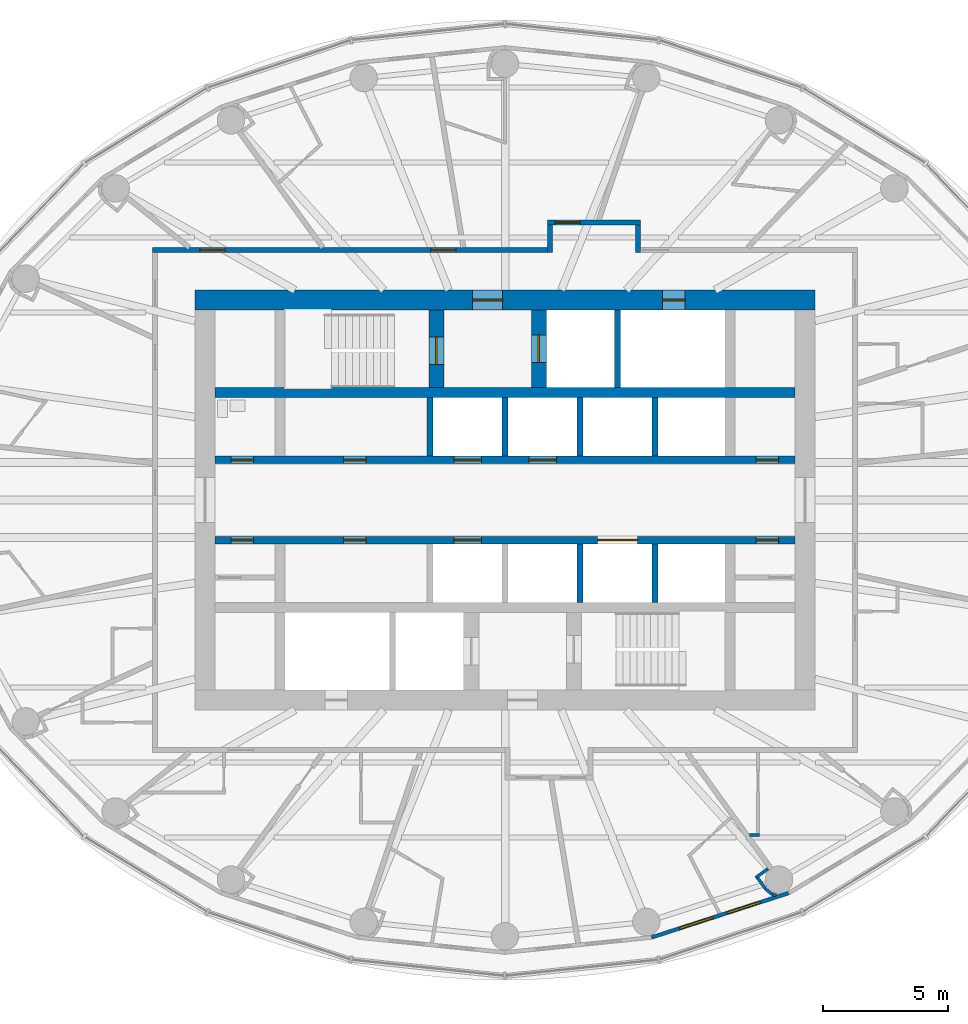
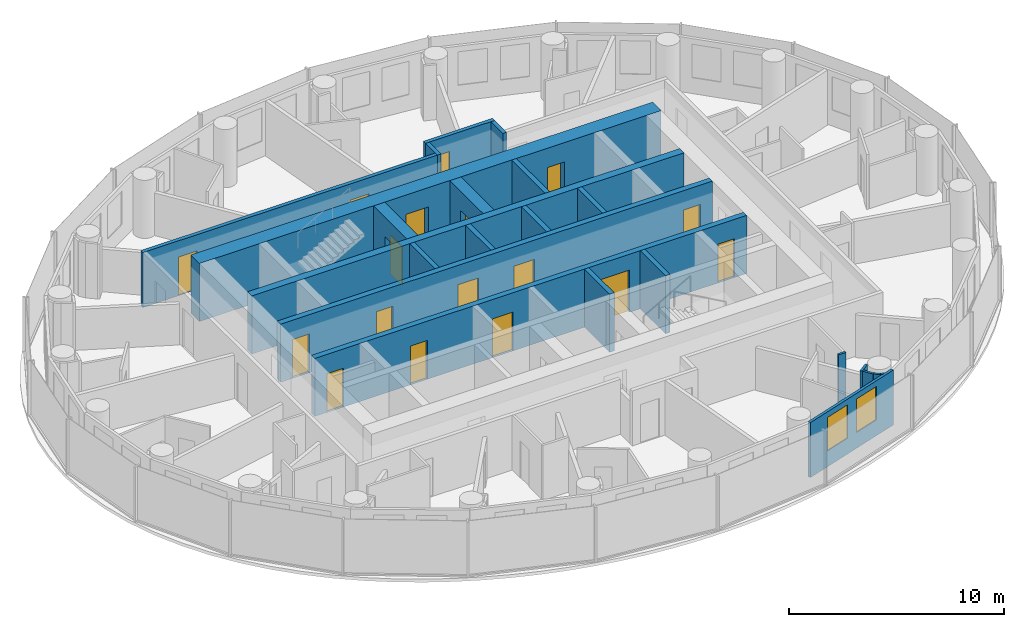
# One storey, part 9 of 14: 23 walls, 17 doors, 2 windows, 19 openings.
"""IFC4 building model written with IfcOpenShell, lengths in metres."""

from ifc_helpers import new_model, si_unit, direction, frame, frame_2d, origin, place, context, subcontext, project, spatial, rectangle, extrude, material, layer, layer_set, type_object, element, fill, save


model = new_model("IFC4")

# Units and contexts
model_context = context("Model", 3, precision=1e-05, world=origin(), true_north=direction((0.0, 1.0)))
body_context = subcontext(model_context, "Body", "Model", "MODEL_VIEW")
ifc_project = project(units=[si_unit("LENGTHUNIT", "METRE"), si_unit("AREAUNIT", "SQUARE_METRE"), si_unit("VOLUMEUNIT", "CUBIC_METRE"), si_unit("PLANEANGLEUNIT", "RADIAN"), si_unit("MASSUNIT", "GRAM", prefix="KILO")], contexts=[model_context])

# Site, building, storey
site_placement = place(None, origin())
site = spatial("IfcSite", under=ifc_project, at=site_placement, CompositionType="ELEMENT")
building_placement = place(site_placement, origin())
building = spatial("IfcBuilding", under=site, at=building_placement, Name="Hankou Lantern Tower", CompositionType="ELEMENT")
storey_placement = place(building_placement, frame((0.0, 0.0, 176.39990234375)))
storey = spatial("IfcBuildingStorey", under=building, at=storey_placement, Name="L47", CompositionType="ELEMENT", Elevation=176.39990234375)

# Wall, openings, doors
ifc_material_1 = material(Name="Concrete C60", Category="concrete")
ifc_layer_1 = layer(ifc_material_1, 0.800048828125)
ifc_layer_set_1 = layer_set([ifc_layer_1], Name="Concrete C60")
wall_type_1 = type_object("IfcWallType", Name="CW2 CORE WALL 800", PredefinedType="SHEAR", material=ifc_layer_set_1)
wall_1_placement = place(storey_placement, frame((-12.39990234375, 8.0, 0.0), z_axis=(0.0, 0.0, 1.0), x_axis=(1.0, 0.0, 0.0)))
wall_1 = element("IfcWall", 1, at=wall_1_placement, inside=storey, type_object=wall_type_1, Name="Core wall north L47", PredefinedType="SHEAR", context=body_context, shape_type="SweptSolid", body=[
    extrude(rectangle(XDim=24.7998046875, YDim=0.800048828125, at=frame_2d((12.39990234375, 0.0))), origin(), (0.0, 0.0, 1.0), 3.300048828125),
])
opening_1_placement = place(wall_1_placement, frame((11.10009765625, 0.0, 0.0)))
opening_1 = element("IfcOpeningElement", 2, at=opening_1_placement, cuts=wall_1, Name="Opening D5", PredefinedType="OPENING", context=body_context, shape_type="SweptSolid", body=[
    extrude(rectangle(XDim=1.199951171875, YDim=2.199951171875, at=frame_2d((0.60009765625, 1.10009765625))), frame((0.0, 0.409912109375, 0.0), z_axis=(0.0, -1.0, 0.0), x_axis=(1.0, 0.0, 0.0)), (0.0, 0.0, 1.0), 0.820068359375),
])
opening_2_placement = place(wall_1_placement, frame((18.699951171875, 0.0, 0.0)))
opening_2 = element("IfcOpeningElement", 3, at=opening_2_placement, cuts=wall_1, Name="Opening D7", PredefinedType="OPENING", context=body_context, shape_type="SweptSolid", body=[
    extrude(rectangle(XDim=0.89990234375, YDim=2.199951171875, at=frame_2d((0.449951171875, 1.10009765625))), frame((0.0, 0.409912109375, 0.0), z_axis=(0.0, -1.0, 0.0), x_axis=(1.0, 0.0, 0.0)), (0.0, 0.0, 1.0), 0.820068359375),
])
ifc_material_2 = material(Name="Steel door leaf", Category="steel")
door_type_1 = type_object("IfcDoorType", Name="D5 STAIR LOBBY DOOR 1200X2200", OperationType="SINGLE_SWING_LEFT", PredefinedType="DOOR", material=ifc_material_2)
door_1_placement = place(opening_1_placement, origin())
door_1 = element("IfcDoor", 4, at=door_1_placement, inside=storey, type_object=door_type_1, Name="Stair A lobby door", OperationType="SINGLE_SWING_LEFT", OverallHeight=2.199951171875, OverallWidth=1.199951171875, PredefinedType="DOOR", context=body_context, shape_type="SweptSolid", body=[
    extrude(rectangle(XDim=1.199951171875, YDim=2.199951171875, at=frame_2d((0.60009765625, 1.10009765625))), frame((0.0, 0.02490234375, 0.0), z_axis=(0.0, -1.0, 0.0), x_axis=(1.0, 0.0, 0.0)), (0.0, 0.0, 1.0), 0.050048828125),
])
fill(opening_1, door_1)
ifc_material_3 = material(Name="Steel door leaf", Category="steel")
door_type_2 = type_object("IfcDoorType", Name="D7 RISER DOOR 900X2200", OperationType="SINGLE_SWING_LEFT", PredefinedType="DOOR", material=ifc_material_3)
door_2_placement = place(opening_2_placement, origin())
door_2 = element("IfcDoor", 5, at=door_2_placement, inside=storey, type_object=door_type_2, Name="Riser N1 door", OperationType="SINGLE_SWING_RIGHT", OverallHeight=2.199951171875, OverallWidth=0.89990234375, PredefinedType="DOOR", context=body_context, shape_type="SweptSolid", body=[
    extrude(rectangle(XDim=0.89990234375, YDim=2.199951171875, at=frame_2d((0.449951171875, 1.10009765625))), frame((0.0, 0.02490234375, 0.0), z_axis=(0.0, -1.0, 0.0), x_axis=(1.0, 0.0, 0.0)), (0.0, 0.0, 1.0), 0.050048828125),
])
fill(opening_2, door_2)

# Wall
ifc_material_4 = material(Name="Concrete C60", Category="concrete")
ifc_layer_2 = layer(ifc_material_4, 0.39990234375)
ifc_layer_set_2 = layer_set([ifc_layer_2], Name="Concrete C60")
wall_type_2 = type_object("IfcWallType", Name="CW4 CORE CROSS WALL 400", PredefinedType="SHEAR", material=ifc_layer_set_2)
wall_2_placement = place(storey_placement, frame((-11.60009765625, 4.300048828125, 0.0), z_axis=(0.0, 0.0, 1.0), x_axis=(1.0, 0.0, 0.0)))
element("IfcWall", 6, at=wall_2_placement, inside=storey, type_object=wall_type_2, Name="Core band wall north L47", PredefinedType="SHEAR", context=body_context, shape_type="SweptSolid", body=[
    extrude(rectangle(XDim=23.2001953125, YDim=0.39990234375, at=frame_2d((11.60009765625, 0.0))), origin(), (0.0, 0.0, 1.0), 3.300048828125),
])

# Wall, openings, doors
ifc_material_5 = material(Name="Concrete C60", Category="concrete")
ifc_layer_3 = layer(ifc_material_5, 0.300048828125)
ifc_layer_set_3 = layer_set([ifc_layer_3], Name="Concrete C60")
wall_type_3 = type_object("IfcWallType", Name="CW5 LIFT LOBBY WALL 300", PredefinedType="SHEAR", material=ifc_layer_set_3)
wall_3_placement = place(storey_placement, frame((-11.60009765625, 1.60009765625, 0.0), z_axis=(0.0, 0.0, 1.0), x_axis=(1.0, 0.0, 0.0)))
wall_3 = element("IfcWall", 7, at=wall_3_placement, inside=storey, type_object=wall_type_3, Name="Lift lobby wall north L47", PredefinedType="SHEAR", context=body_context, shape_type="SweptSolid", body=[
    extrude(rectangle(XDim=23.2001953125, YDim=0.300048828125, at=frame_2d((11.60009765625, 0.0))), origin(), (0.0, 0.0, 1.0), 3.300048828125),
])
opening_3_placement = place(wall_3_placement, frame((9.550048828125, 0.0, 0.0)))
opening_3 = element("IfcOpeningElement", 8, at=opening_3_placement, cuts=wall_3, Name="Opening LD1", PredefinedType="OPENING", context=body_context, shape_type="SweptSolid", body=[
    extrude(rectangle(XDim=1.10009765625, YDim=2.199951171875, at=frame_2d((0.550048828125, 1.10009765625))), frame((0.0, 0.159912109375, 0.0), z_axis=(0.0, -1.0, 0.0), x_axis=(1.0, 0.0, 0.0)), (0.0, 0.0, 1.0), 0.320068359375),
])
opening_4_placement = place(wall_3_placement, frame((12.550048828125, 0.0, 0.0)))
opening_4 = element("IfcOpeningElement", 9, at=opening_4_placement, cuts=wall_3, Name="Opening LD1", PredefinedType="OPENING", context=body_context, shape_type="SweptSolid", body=[
    extrude(rectangle(XDim=1.10009765625, YDim=2.199951171875, at=frame_2d((0.550048828125, 1.10009765625))), frame((0.0, 0.159912109375, 0.0), z_axis=(0.0, -1.0, 0.0), x_axis=(1.0, 0.0, 0.0)), (0.0, 0.0, 1.0), 0.320068359375),
])
opening_5_placement = place(wall_3_placement, frame((0.64990234375, 0.0, 0.0)))
opening_5 = element("IfcOpeningElement", 10, at=opening_5_placement, cuts=wall_3, Name="Opening D30", PredefinedType="OPENING", context=body_context, shape_type="SweptSolid", body=[
    extrude(rectangle(XDim=0.89990234375, YDim=2.199951171875, at=frame_2d((0.449951171875, 1.10009765625))), frame((0.0, 0.159912109375, 0.0), z_axis=(0.0, -1.0, 0.0), x_axis=(1.0, 0.0, 0.0)), (0.0, 0.0, 1.0), 0.320068359375),
])
opening_6_placement = place(wall_3_placement, frame((5.14990234375, 0.0, 0.0)))
opening_6 = element("IfcOpeningElement", 11, at=opening_6_placement, cuts=wall_3, Name="Opening D30", PredefinedType="OPENING", context=body_context, shape_type="SweptSolid", body=[
    extrude(rectangle(XDim=0.89990234375, YDim=2.199951171875, at=frame_2d((0.449951171875, 1.10009765625))), frame((0.0, 0.159912109375, 0.0), z_axis=(0.0, -1.0, 0.0), x_axis=(1.0, 0.0, 0.0)), (0.0, 0.0, 1.0), 0.320068359375),
])
opening_7_placement = place(wall_3_placement, frame((21.64990234375, 0.0, 0.0)))
opening_7 = element("IfcOpeningElement", 12, at=opening_7_placement, cuts=wall_3, Name="Opening D30", PredefinedType="OPENING", context=body_context, shape_type="SweptSolid", body=[
    extrude(rectangle(XDim=0.89990234375, YDim=2.199951171875, at=frame_2d((0.449951171875, 1.10009765625))), frame((0.0, 0.159912109375, 0.0), z_axis=(0.0, -1.0, 0.0), x_axis=(1.0, 0.0, 0.0)), (0.0, 0.0, 1.0), 0.320068359375),
])
ifc_material_6 = material(Name="Steel door leaf", Category="steel")
door_type_3 = type_object("IfcDoorType", Name="D30 CORE ROOM DOOR 900X2200", OperationType="SINGLE_SWING_LEFT", PredefinedType="DOOR", material=ifc_material_6)
door_3_placement = place(opening_5_placement, origin())
door_3 = element("IfcDoor", 13, at=door_3_placement, inside=storey, type_object=door_type_3, Name="Accessible staff WC door", OperationType="SINGLE_SWING_LEFT", OverallHeight=2.199951171875, OverallWidth=0.89990234375, PredefinedType="DOOR", context=body_context, shape_type="SweptSolid", body=[
    extrude(rectangle(XDim=0.89990234375, YDim=2.199951171875, at=frame_2d((0.449951171875, 1.10009765625))), frame((0.0, 0.02490234375, 0.0), z_axis=(0.0, -1.0, 0.0), x_axis=(1.0, 0.0, 0.0)), (0.0, 0.0, 1.0), 0.050048828125),
])
fill(opening_5, door_3)
door_4_placement = place(opening_6_placement, origin())
door_4 = element("IfcDoor", 14, at=door_4_placement, inside=storey, type_object=door_type_3, Name="Housekeeping and linen store door", OperationType="SINGLE_SWING_LEFT", OverallHeight=2.199951171875, OverallWidth=0.89990234375, PredefinedType="DOOR", context=body_context, shape_type="SweptSolid", body=[
    extrude(rectangle(XDim=0.89990234375, YDim=2.199951171875, at=frame_2d((0.449951171875, 1.10009765625))), frame((0.0, 0.02490234375, 0.0), z_axis=(0.0, -1.0, 0.0), x_axis=(1.0, 0.0, 0.0)), (0.0, 0.0, 1.0), 0.050048828125),
])
fill(opening_6, door_4)
door_5_placement = place(opening_7_placement, origin())
door_5 = element("IfcDoor", 15, at=door_5_placement, inside=storey, type_object=door_type_3, Name="IT and telecoms room door", OperationType="SINGLE_SWING_RIGHT", OverallHeight=2.199951171875, OverallWidth=0.89990234375, PredefinedType="DOOR", context=body_context, shape_type="SweptSolid", body=[
    extrude(rectangle(XDim=0.89990234375, YDim=2.199951171875, at=frame_2d((0.449951171875, 1.10009765625))), frame((0.0, 0.02490234375, 0.0), z_axis=(0.0, -1.0, 0.0), x_axis=(1.0, 0.0, 0.0)), (0.0, 0.0, 1.0), 0.050048828125),
])
fill(opening_7, door_5)
ifc_material_7 = material(Name="Steel door leaf", Category="steel")
door_type_4 = type_object("IfcDoorType", Name="LD1 LIFT LANDING DOOR 1100X2200", OperationType="DOUBLE_DOOR_SLIDING", PredefinedType="DOOR", material=ifc_material_7)
door_6_placement = place(opening_3_placement, origin())
door_6 = element("IfcDoor", 16, at=door_6_placement, inside=storey, type_object=door_type_4, Name="Lift H1 landing door", OperationType="DOUBLE_DOOR_SLIDING", OverallHeight=2.199951171875, OverallWidth=1.10009765625, PredefinedType="DOOR", context=body_context, shape_type="SweptSolid", body=[
    extrude(rectangle(XDim=1.10009765625, YDim=2.199951171875, at=frame_2d((0.550048828125, 1.10009765625))), frame((0.0, 0.02490234375, 0.0), z_axis=(0.0, -1.0, 0.0), x_axis=(1.0, 0.0, 0.0)), (0.0, 0.0, 1.0), 0.050048828125),
])
fill(opening_3, door_6)
door_7_placement = place(opening_4_placement, origin())
door_7 = element("IfcDoor", 17, at=door_7_placement, inside=storey, type_object=door_type_4, Name="Lift H2 landing door", OperationType="DOUBLE_DOOR_SLIDING", OverallHeight=2.199951171875, OverallWidth=1.10009765625, PredefinedType="DOOR", context=body_context, shape_type="SweptSolid", body=[
    extrude(rectangle(XDim=1.10009765625, YDim=2.199951171875, at=frame_2d((0.550048828125, 1.10009765625))), frame((0.0, 0.02490234375, 0.0), z_axis=(0.0, -1.0, 0.0), x_axis=(1.0, 0.0, 0.0)), (0.0, 0.0, 1.0), 0.050048828125),
])
fill(opening_4, door_7)

wall_4_placement = place(storey_placement, frame((-11.60009765625, -1.60009765625, 0.0), z_axis=(0.0, 0.0, 1.0), x_axis=(1.0, 0.0, 0.0)))
wall_4 = element("IfcWall", 18, at=wall_4_placement, inside=storey, type_object=wall_type_3, Name="Lift lobby wall south L47", PredefinedType="SHEAR", context=body_context, shape_type="SweptSolid", body=[
    extrude(rectangle(XDim=23.2001953125, YDim=0.300048828125, at=frame_2d((11.60009765625, 0.0))), origin(), (0.0, 0.0, 1.0), 3.300048828125),
])
opening_8_placement = place(wall_4_placement, frame((9.550048828125, 0.0, 0.0)))
opening_8 = element("IfcOpeningElement", 19, at=opening_8_placement, cuts=wall_4, Name="Opening LD1", PredefinedType="OPENING", context=body_context, shape_type="SweptSolid", body=[
    extrude(rectangle(XDim=1.10009765625, YDim=2.199951171875, at=frame_2d((0.550048828125, 1.10009765625))), frame((0.0, 0.159912109375, 0.0), z_axis=(0.0, -1.0, 0.0), x_axis=(1.0, 0.0, 0.0)), (0.0, 0.0, 1.0), 0.320068359375),
])
opening_9_placement = place(wall_4_placement, frame((15.300048828125, 0.0, 0.0)))
opening_9 = element("IfcOpeningElement", 20, at=opening_9_placement, cuts=wall_4, Name="Opening LD4", PredefinedType="OPENING", context=body_context, shape_type="SweptSolid", body=[
    extrude(rectangle(XDim=1.60009765625, YDim=2.39990234375, at=frame_2d((0.800048828125, 1.199951171875))), frame((0.0, 0.159912109375, 0.0), z_axis=(0.0, -1.0, 0.0), x_axis=(1.0, 0.0, 0.0)), (0.0, 0.0, 1.0), 0.320068359375),
])
opening_10_placement = place(wall_4_placement, frame((0.64990234375, 0.0, 0.0)))
opening_10 = element("IfcOpeningElement", 21, at=opening_10_placement, cuts=wall_4, Name="Opening D30", PredefinedType="OPENING", context=body_context, shape_type="SweptSolid", body=[
    extrude(rectangle(XDim=0.89990234375, YDim=2.199951171875, at=frame_2d((0.449951171875, 1.10009765625))), frame((0.0, 0.159912109375, 0.0), z_axis=(0.0, -1.0, 0.0), x_axis=(1.0, 0.0, 0.0)), (0.0, 0.0, 1.0), 0.320068359375),
])
opening_11_placement = place(wall_4_placement, frame((5.14990234375, 0.0, 0.0)))
opening_11 = element("IfcOpeningElement", 22, at=opening_11_placement, cuts=wall_4, Name="Opening D30", PredefinedType="OPENING", context=body_context, shape_type="SweptSolid", body=[
    extrude(rectangle(XDim=0.89990234375, YDim=2.199951171875, at=frame_2d((0.449951171875, 1.10009765625))), frame((0.0, 0.159912109375, 0.0), z_axis=(0.0, -1.0, 0.0), x_axis=(1.0, 0.0, 0.0)), (0.0, 0.0, 1.0), 0.320068359375),
])
opening_12_placement = place(wall_4_placement, frame((21.64990234375, 0.0, 0.0)))
opening_12 = element("IfcOpeningElement", 23, at=opening_12_placement, cuts=wall_4, Name="Opening D30", PredefinedType="OPENING", context=body_context, shape_type="SweptSolid", body=[
    extrude(rectangle(XDim=0.89990234375, YDim=2.199951171875, at=frame_2d((0.449951171875, 1.10009765625))), frame((0.0, 0.159912109375, 0.0), z_axis=(0.0, -1.0, 0.0), x_axis=(1.0, 0.0, 0.0)), (0.0, 0.0, 1.0), 0.320068359375),
])
door_8_placement = place(opening_10_placement, origin())
door_8 = element("IfcDoor", 24, at=door_8_placement, inside=storey, type_object=door_type_3, Name="Engineering store door", OperationType="SINGLE_SWING_LEFT", OverallHeight=2.199951171875, OverallWidth=0.89990234375, PredefinedType="DOOR", context=body_context, shape_type="SweptSolid", body=[
    extrude(rectangle(XDim=0.89990234375, YDim=2.199951171875, at=frame_2d((0.449951171875, 1.10009765625))), frame((0.0, 0.02490234375, 0.0), z_axis=(0.0, -1.0, 0.0), x_axis=(1.0, 0.0, 0.0)), (0.0, 0.0, 1.0), 0.050048828125),
])
fill(opening_10, door_8)
door_9_placement = place(opening_11_placement, origin())
door_9 = element("IfcDoor", 25, at=door_9_placement, inside=storey, type_object=door_type_3, Name="Cleaner's store door", OperationType="SINGLE_SWING_LEFT", OverallHeight=2.199951171875, OverallWidth=0.89990234375, PredefinedType="DOOR", context=body_context, shape_type="SweptSolid", body=[
    extrude(rectangle(XDim=0.89990234375, YDim=2.199951171875, at=frame_2d((0.449951171875, 1.10009765625))), frame((0.0, 0.02490234375, 0.0), z_axis=(0.0, -1.0, 0.0), x_axis=(1.0, 0.0, 0.0)), (0.0, 0.0, 1.0), 0.050048828125),
])
fill(opening_11, door_9)
door_10_placement = place(opening_12_placement, origin())
door_10 = element("IfcDoor", 26, at=door_10_placement, inside=storey, type_object=door_type_3, Name="Minibar store door", OperationType="SINGLE_SWING_RIGHT", OverallHeight=2.199951171875, OverallWidth=0.89990234375, PredefinedType="DOOR", context=body_context, shape_type="SweptSolid", body=[
    extrude(rectangle(XDim=0.89990234375, YDim=2.199951171875, at=frame_2d((0.449951171875, 1.10009765625))), frame((0.0, 0.02490234375, 0.0), z_axis=(0.0, -1.0, 0.0), x_axis=(1.0, 0.0, 0.0)), (0.0, 0.0, 1.0), 0.050048828125),
])
fill(opening_12, door_10)
door_11_placement = place(opening_8_placement, origin())
door_11 = element("IfcDoor", 27, at=door_11_placement, inside=storey, type_object=door_type_4, Name="Lift H3 landing door", OperationType="DOUBLE_DOOR_SLIDING", OverallHeight=2.199951171875, OverallWidth=1.10009765625, PredefinedType="DOOR", context=body_context, shape_type="SweptSolid", body=[
    extrude(rectangle(XDim=1.10009765625, YDim=2.199951171875, at=frame_2d((0.550048828125, 1.10009765625))), frame((0.0, 0.02490234375, 0.0), z_axis=(0.0, -1.0, 0.0), x_axis=(1.0, 0.0, 0.0)), (0.0, 0.0, 1.0), 0.050048828125),
])
fill(opening_8, door_11)
ifc_material_8 = material(Name="Steel door leaf", Category="steel")
door_type_5 = type_object("IfcDoorType", Name="LD4 SERVICE LIFT LANDING DOOR 1600X2400", OperationType="DOUBLE_DOOR_SLIDING", PredefinedType="DOOR", material=ifc_material_8)
door_12_placement = place(opening_9_placement, origin())
door_12 = element("IfcDoor", 28, at=door_12_placement, inside=storey, type_object=door_type_5, Name="Lift SV1 landing door", OperationType="DOUBLE_DOOR_SLIDING", OverallHeight=2.39990234375, OverallWidth=1.60009765625, PredefinedType="DOOR", context=body_context, shape_type="SweptSolid", body=[
    extrude(rectangle(XDim=1.60009765625, YDim=2.39990234375, at=frame_2d((0.800048828125, 1.199951171875))), frame((0.0, 0.02490234375, 0.0), z_axis=(0.0, -1.0, 0.0), x_axis=(1.0, 0.0, 0.0)), (0.0, 0.0, 1.0), 0.050048828125),
])
fill(opening_9, door_12)

# Wall, opening, door
ifc_material_9 = material(Name="Concrete C60", Category="concrete")
ifc_layer_4 = layer(ifc_material_9, 0.60009765625)
ifc_layer_set_4 = layer_set([ifc_layer_4], Name="Concrete C60")
wall_type_4 = type_object("IfcWallType", Name="CW6 STAIR AND SHAFT WALL 600", PredefinedType="SHEAR", material=ifc_layer_set_4)
wall_5_placement = place(storey_placement, frame((-2.75, 4.5, 0.0), z_axis=(0.0, 0.0, 1.0), x_axis=(0.0, 1.0, 0.0)))
wall_5 = element("IfcWall", 29, at=wall_5_placement, inside=storey, type_object=wall_type_4, Name="Stair wall L47", PredefinedType="SHEAR", context=body_context, shape_type="SweptSolid", body=[
    extrude(rectangle(XDim=3.10009765625, YDim=0.60009765625, at=frame_2d((1.550048828125, 0.0))), origin(), (0.0, 0.0, 1.0), 3.300048828125),
])
opening_13_placement = place(wall_5_placement, frame((0.925048828125, 0.0, 0.0)))
opening_13 = element("IfcOpeningElement", 30, at=opening_13_placement, cuts=wall_5, Name="Opening D4", PredefinedType="OPENING", context=body_context, shape_type="SweptSolid", body=[
    extrude(rectangle(XDim=1.10009765625, YDim=2.199951171875, at=frame_2d((0.550048828125, 1.10009765625))), frame((0.0, 0.31005859375, 0.0), z_axis=(0.0, -1.0, 0.0), x_axis=(1.0, 0.0, 0.0)), (0.0, 0.0, 1.0), 0.6201171875),
])
ifc_material_10 = material(Name="Steel door leaf", Category="steel")
door_type_6 = type_object("IfcDoorType", Name="D4 STAIR DOOR 1100X2200", OperationType="SINGLE_SWING_LEFT", PredefinedType="DOOR", material=ifc_material_10)
door_13_placement = place(opening_13_placement, origin())
door_13 = element("IfcDoor", 31, at=door_13_placement, inside=storey, type_object=door_type_6, Name="Stair A door", OperationType="SINGLE_SWING_LEFT", OverallHeight=2.199951171875, OverallWidth=1.10009765625, PredefinedType="DOOR", context=body_context, shape_type="SweptSolid", body=[
    extrude(rectangle(XDim=1.10009765625, YDim=2.199951171875, at=frame_2d((0.550048828125, 1.10009765625))), frame((0.0, 0.02490234375, 0.0), z_axis=(0.0, -1.0, 0.0), x_axis=(1.0, 0.0, 0.0)), (0.0, 0.0, 1.0), 0.050048828125),
])
fill(opening_13, door_13)

wall_6_placement = place(storey_placement, frame((1.35009765625, 4.5, 0.0), z_axis=(0.0, 0.0, 1.0), x_axis=(0.0, 1.0, 0.0)))
wall_6 = element("IfcWall", 32, at=wall_6_placement, inside=storey, type_object=wall_type_4, Name="Firefighting lift shaft wall L47", PredefinedType="SHEAR", context=body_context, shape_type="SweptSolid", body=[
    extrude(rectangle(XDim=3.10009765625, YDim=0.60009765625, at=frame_2d((1.550048828125, 0.0))), origin(), (0.0, 0.0, 1.0), 3.300048828125),
])
opening_14_placement = place(wall_6_placement, frame((1.0, 0.0, 0.0)))
opening_14 = element("IfcOpeningElement", 33, at=opening_14_placement, cuts=wall_6, Name="Opening LD2", PredefinedType="OPENING", context=body_context, shape_type="SweptSolid", body=[
    extrude(rectangle(XDim=1.10009765625, YDim=2.199951171875, at=frame_2d((0.550048828125, 1.10009765625))), frame((0.0, 0.31005859375, 0.0), z_axis=(0.0, -1.0, 0.0), x_axis=(1.0, 0.0, 0.0)), (0.0, 0.0, 1.0), 0.6201171875),
])
ifc_material_11 = material(Name="Steel door leaf", Category="steel")
door_type_7 = type_object("IfcDoorType", Name="LD2 FIREFIGHTING LIFT LANDING DOOR 1100X2200", OperationType="DOUBLE_DOOR_SLIDING", PredefinedType="DOOR", material=ifc_material_11)
door_14_placement = place(opening_14_placement, origin())
door_14 = element("IfcDoor", 34, at=door_14_placement, inside=storey, type_object=door_type_7, Name="Firefighting lift FL1 landing door", OperationType="DOUBLE_DOOR_SLIDING", OverallHeight=2.199951171875, OverallWidth=1.10009765625, PredefinedType="DOOR", context=body_context, shape_type="SweptSolid", body=[
    extrude(rectangle(XDim=1.10009765625, YDim=2.199951171875, at=frame_2d((0.550048828125, 1.10009765625))), frame((0.0, 0.02490234375, 0.0), z_axis=(0.0, -1.0, 0.0), x_axis=(1.0, 0.0, 0.0)), (0.0, 0.0, 1.0), 0.050048828125),
])
fill(opening_14, door_14)

# Wall, openings, windows
ifc_material_12 = material(Name="Aluminium spandrel panel on steel studs", Category="steel")
ifc_layer_5 = layer(ifc_material_12, 0.14990234375)
ifc_layer_set_5 = layer_set([ifc_layer_5], Name="Aluminium spandrel panel on steel studs")
wall_type_5 = type_object("IfcWallType", Name="EW1 INNER SKIN WALL 150", PredefinedType="ELEMENTEDWALL", material=ifc_layer_set_5)
wall_7_placement = place(storey_placement, frame((5.8603515625, -17.497314453125, 0.0), z_axis=(0.0, 0.0, 1.0), x_axis=(0.951432482129, 0.307857486429, 0.0)))
wall_7 = element("IfcWall", 35, at=wall_7_placement, inside=storey, type_object=wall_type_5, Name="Inner skin R20-R21 L47", PredefinedType="ELEMENTEDWALL", context=body_context, shape_type="SweptSolid", body=[
    extrude(rectangle(XDim=5.76611328125, YDim=0.14990234375, at=frame_2d((2.883056640625, 0.0))), origin(), (0.0, 0.0, 1.0), 3.1201171875),
])
opening_15_placement = place(wall_7_placement, frame((1.18310546875, 0.0, 0.89990234375)))
opening_15 = element("IfcOpeningElement", 36, at=opening_15_placement, cuts=wall_7, Name="Opening W3", PredefinedType="OPENING", context=body_context, shape_type="SweptSolid", body=[
    extrude(rectangle(XDim=1.39990234375, YDim=1.89990234375, at=frame_2d((0.699951171875, 0.949951171875))), frame((0.0, 0.0849609375, 0.0), z_axis=(0.0, -1.0, 0.0), x_axis=(1.0, 0.0, 0.0)), (0.0, 0.0, 1.0), 0.169921875),
])
opening_16_placement = place(wall_7_placement, frame((3.18310546875, 0.0, 0.89990234375)))
opening_16 = element("IfcOpeningElement", 37, at=opening_16_placement, cuts=wall_7, Name="Opening W3", PredefinedType="OPENING", context=body_context, shape_type="SweptSolid", body=[
    extrude(rectangle(XDim=1.39990234375, YDim=1.89990234375, at=frame_2d((0.699951171875, 0.949951171875))), frame((0.0, 0.0849609375, 0.0), z_axis=(0.0, -1.0, 0.0), x_axis=(1.0, 0.0, 0.0)), (0.0, 0.0, 1.0), 0.169921875),
])
ifc_material_13 = material(Name="Aluminium framed double glazed window", Category="aluminium")
window_type = type_object("IfcWindowType", Name="W3 GUEST ROOM WINDOW 1400X1900", PartitioningType="DOUBLE_PANEL_VERTICAL", PredefinedType="WINDOW", material=ifc_material_13)
window_1_placement = place(opening_15_placement, origin())
window_1 = element("IfcWindow", 38, at=window_1_placement, inside=storey, type_object=window_type, Name="Window R20.1 L47", OverallHeight=1.89990234375, OverallWidth=1.39990234375, PartitioningType="SINGLE_PANEL", PredefinedType="WINDOW", context=body_context, shape_type="SweptSolid", body=[
    extrude(rectangle(XDim=1.39990234375, YDim=1.89990234375, at=frame_2d((0.699951171875, 0.949951171875))), frame((0.0, 0.030029296875, 0.0), z_axis=(0.0, -1.0, 0.0), x_axis=(1.0, 0.0, 0.0)), (0.0, 0.0, 1.0), 0.06005859375),
])
fill(opening_15, window_1)
window_2_placement = place(opening_16_placement, origin())
window_2 = element("IfcWindow", 39, at=window_2_placement, inside=storey, type_object=window_type, Name="Window R20.2 L47", OverallHeight=1.89990234375, OverallWidth=1.39990234375, PartitioningType="SINGLE_PANEL", PredefinedType="WINDOW", context=body_context, shape_type="SweptSolid", body=[
    extrude(rectangle(XDim=1.39990234375, YDim=1.89990234375, at=frame_2d((0.699951171875, 0.949951171875))), frame((0.0, 0.030029296875, 0.0), z_axis=(0.0, -1.0, 0.0), x_axis=(1.0, 0.0, 0.0)), (0.0, 0.0, 1.0), 0.06005859375),
])
fill(opening_16, window_2)

# Wall, opening, door
ifc_material_14 = material(Name="Masonry lightweight concrete block", Category="masonry")
ifc_layer_6 = layer(ifc_material_14, 0.199951171875)
ifc_layer_set_6 = layer_set([ifc_layer_6], Name="Masonry lightweight concrete block")
wall_type_6 = type_object("IfcWallType", Name="IW2 CORRIDOR WALL 200", PredefinedType="PARTITIONING", material=ifc_layer_set_6)
wall_8_placement = place(storey_placement, frame((1.70751953125, 11.10009765625, 0.0), z_axis=(0.0, 0.0, 1.0), x_axis=(1.0, 0.0, 0.0)))
wall_8 = element("IfcWall", 40, at=wall_8_placement, inside=storey, type_object=wall_type_6, Name="Corridor alcove wall 4708-4709 back", PredefinedType="PARTITIONING", context=body_context, shape_type="SweptSolid", body=[
    extrude(rectangle(XDim=3.71923828125, YDim=0.199951171875, at=frame_2d((1.859619140625, 0.0))), origin(), (0.0, 0.0, 1.0), 3.1201171875),
])
opening_17_placement = place(wall_8_placement, frame((0.300048828125, 0.0, 0.0)))
opening_17 = element("IfcOpeningElement", 41, at=opening_17_placement, cuts=wall_8, Name="Opening D1", PredefinedType="OPENING", context=body_context, shape_type="SweptSolid", body=[
    extrude(rectangle(XDim=1.0, YDim=2.199951171875, at=frame_2d((0.5, 1.10009765625))), frame((0.0, 0.10986328125, 0.0), z_axis=(0.0, -1.0, 0.0), x_axis=(1.0, 0.0, 0.0)), (0.0, 0.0, 1.0), 0.219970703125),
])
ifc_material_15 = material(Name="Steel door leaf", Category="steel")
door_type_8 = type_object("IfcDoorType", Name="D1 GUEST ROOM DOOR 1000X2200", OperationType="SINGLE_SWING_LEFT", PredefinedType="DOOR", material=ifc_material_15)
door_15_placement = place(opening_17_placement, origin())
door_15 = element("IfcDoor", 42, at=door_15_placement, inside=storey, type_object=door_type_8, Name="Guest room door 4709", OperationType="SINGLE_SWING_RIGHT", OverallHeight=2.199951171875, OverallWidth=1.0, PredefinedType="DOOR", context=body_context, shape_type="SweptSolid", body=[
    extrude(rectangle(XDim=1.0, YDim=2.199951171875, at=frame_2d((0.5, 1.10009765625))), frame((0.0, 0.02490234375, 0.0), z_axis=(0.0, -1.0, 0.0), x_axis=(1.0, 0.0, 0.0)), (0.0, 0.0, 1.0), 0.050048828125),
])
fill(opening_17, door_15)

# Walls
for number, where, z_axis, x_axis, name in (
    (43, (1.807373046875, 9.89990234375, 0.0), (0.0, 0.0, 1.0), (0.0, 1.0, 0.0), "Corridor alcove wall 4708-4709 left"),
    (44, (5.32666015625, 9.89990234375, 0.0), (0.0, 0.0, 1.0), (0.0, 1.0, 0.0), "Corridor alcove wall 4708-4709 right"),
):
    element("IfcWall", number, at=place(storey_placement, frame(where, z_axis=z_axis, x_axis=x_axis)), inside=storey, type_object=wall_type_6, Name=name, PredefinedType="PARTITIONING", context=body_context, shape_type="SweptSolid", body=[
        extrude(rectangle(XDim=1.10009765625, YDim=0.199951171875, at=frame_2d((0.550048828125, 0.0))), origin(), (0.0, 0.0, 1.0), 3.1201171875),
    ])

# Wall, openings, doors
wall_9_placement = place(storey_placement, frame((-14.10009765625, 10.0, 0.0), z_axis=(0.0, 0.0, 1.0), x_axis=(1.0, 0.0, 0.0)))
wall_9 = element("IfcWall", 45, at=wall_9_placement, inside=storey, type_object=wall_type_6, Name="Corridor wall north", PredefinedType="PARTITIONING", context=body_context, shape_type="SweptSolid", body=[
    extrude(rectangle(XDim=15.8076171875, YDim=0.199951171875, at=frame_2d((7.90380859375, 0.0))), origin(), (0.0, 0.0, 1.0), 3.1201171875),
])
opening_18_placement = place(wall_9_placement, frame((11.134521484375, 0.0, 0.0)))
opening_18 = element("IfcOpeningElement", 46, at=opening_18_placement, cuts=wall_9, Name="Opening D1", PredefinedType="OPENING", context=body_context, shape_type="SweptSolid", body=[
    extrude(rectangle(XDim=1.0, YDim=2.199951171875, at=frame_2d((0.5, 1.10009765625))), frame((0.0, 0.10986328125, 0.0), z_axis=(0.0, -1.0, 0.0), x_axis=(1.0, 0.0, 0.0)), (0.0, 0.0, 1.0), 0.219970703125),
])
opening_19_placement = place(wall_9_placement, frame((1.89501953125, 0.0, 0.0)))
opening_19 = element("IfcOpeningElement", 47, at=opening_19_placement, cuts=wall_9, Name="Opening D28", PredefinedType="OPENING", context=body_context, shape_type="SweptSolid", body=[
    extrude(rectangle(XDim=1.0, YDim=2.199951171875, at=frame_2d((0.5, 1.10009765625))), frame((0.0, 0.10986328125, 0.0), z_axis=(0.0, -1.0, 0.0), x_axis=(1.0, 0.0, 0.0)), (0.0, 0.0, 1.0), 0.219970703125),
])
door_16_placement = place(opening_18_placement, origin())
door_16 = element("IfcDoor", 48, at=door_16_placement, inside=storey, type_object=door_type_8, Name="Guest room door 4710", OperationType="SINGLE_SWING_RIGHT", OverallHeight=2.199951171875, OverallWidth=1.0, PredefinedType="DOOR", context=body_context, shape_type="SweptSolid", body=[
    extrude(rectangle(XDim=1.0, YDim=2.199951171875, at=frame_2d((0.5, 1.10009765625))), frame((0.0, 0.02490234375, 0.0), z_axis=(0.0, -1.0, 0.0), x_axis=(1.0, 0.0, 0.0)), (0.0, 0.0, 1.0), 0.050048828125),
])
fill(opening_18, door_16)
ifc_material_16 = material(Name="Steel door leaf", Category="steel")
door_type_9 = type_object("IfcDoorType", Name="D28 SERVICE DOOR 1000X2200", OperationType="SINGLE_SWING_LEFT", PredefinedType="DOOR", material=ifc_material_16)
door_17_placement = place(opening_19_placement, origin())
door_17 = element("IfcDoor", 49, at=door_17_placement, inside=storey, type_object=door_type_9, Name="Service door 4711", OperationType="SINGLE_SWING_RIGHT", OverallHeight=2.199951171875, OverallWidth=1.0, PredefinedType="DOOR", context=body_context, shape_type="SweptSolid", body=[
    extrude(rectangle(XDim=1.0, YDim=2.199951171875, at=frame_2d((0.5, 1.10009765625))), frame((0.0, 0.02490234375, 0.0), z_axis=(0.0, -1.0, 0.0), x_axis=(1.0, 0.0, 0.0)), (0.0, 0.0, 1.0), 0.050048828125),
])
fill(opening_19, door_17)

# Walls
ifc_material_17 = material(Name="Masonry lightweight concrete block", Category="masonry")
ifc_layer_7 = layer(ifc_material_17, 0.1201171875)
ifc_layer_set_7 = layer_set([ifc_layer_7], Name="Masonry lightweight concrete block")
wall_type_7 = type_object("IfcWallType", Name="IW3 BATHROOM WALL 120", PredefinedType="PARTITIONING", material=ifc_layer_set_7)
wall_10_placement = place(storey_placement, frame((10.521728515625, -14.750244140625, 0.0), z_axis=(0.0, 0.0, 1.0), x_axis=(-0.811057588427, -0.584966313777, 0.0)))
element("IfcWall", 50, at=wall_10_placement, inside=storey, type_object=wall_type_7, Name="Column casing 4704 return", PredefinedType="PARTITIONING", context=body_context, shape_type="SweptSolid", body=[
    extrude(rectangle(XDim=0.6123046875, YDim=0.1201171875, at=frame_2d((0.30615234375, 0.0))), origin(), (0.0, 0.0, 1.0), 3.1201171875),
])
wall_11_placement = place(storey_placement, frame((10.10888671875, -15.121826171875, 0.0), z_axis=(0.0, 0.0, 1.0), x_axis=(0.585344718358, -0.810784534072, 0.0)))
element("IfcWall", 51, at=wall_11_placement, inside=storey, type_object=wall_type_7, Name="Column casing 4704", PredefinedType="PARTITIONING", context=body_context, shape_type="SweptSolid", body=[
    extrude(rectangle(XDim=0.550048828125, YDim=0.1201171875, at=frame_2d((0.27490234375, 0.0))), origin(), (0.0, 0.0, 1.0), 3.1201171875),
])
wall_12_placement = place(storey_placement, frame((10.430908203125, -15.56787109375, 0.0), z_axis=(0.0, 0.0, 1.0), x_axis=(0.77505137267, -0.631898227345, 0.0)))
element("IfcWall", 52, at=wall_12_placement, inside=storey, type_object=wall_type_7, Name="Column casing 4704", PredefinedType="PARTITIONING", context=body_context, shape_type="SweptSolid", body=[
    extrude(rectangle(XDim=0.337646484375, YDim=0.1201171875, at=frame_2d((0.1689453125, 0.0))), origin(), (0.0, 0.0, 1.0), 3.1201171875),
])
wall_13_placement = place(storey_placement, frame((10.692626953125, -15.78125, 0.0), z_axis=(0.0, 0.0, 1.0), x_axis=(0.987256785332, -0.159135287777, 0.0)))
element("IfcWall", 53, at=wall_13_placement, inside=storey, type_object=wall_type_7, Name="Column casing 4704", PredefinedType="PARTITIONING", context=body_context, shape_type="SweptSolid", body=[
    extrude(rectangle(XDim=0.157958984375, YDim=0.1201171875, at=frame_2d((0.0791015625, 0.0))), origin(), (0.0, 0.0, 1.0), 3.1201171875),
])
wall_14_placement = place(storey_placement, frame((9.7705078125, -13.39990234375, 0.0), z_axis=(0.0, 0.0, 1.0), x_axis=(1.0, 0.0, 0.0)))
element("IfcWall", 54, at=wall_14_placement, inside=storey, type_object=wall_type_7, Name="Box wall 4705A 1", PredefinedType="PARTITIONING", context=body_context, shape_type="SweptSolid", body=[
    extrude(rectangle(XDim=0.408447265625, YDim=0.1201171875, at=frame_2d((0.2041015625, 0.0))), origin(), (0.0, 0.0, 1.0), 3.1201171875),
])
ifc_material_18 = material(Name="Masonry autoclaved aerated concrete block", Category="masonry")
ifc_layer_8 = layer(ifc_material_18, 0.25)
ifc_layer_set_8 = layer_set([ifc_layer_8], Name="Masonry autoclaved aerated concrete block")
wall_type_8 = type_object("IfcWallType", Name="SW1 SHAFT BLOCK WALL 250", PredefinedType="PARTITIONING", material=ifc_layer_set_8)
wall_15_placement = place(storey_placement, frame((4.5, 4.5, 0.0), z_axis=(0.0, 0.0, 1.0), x_axis=(0.0, 1.0, 0.0)))
element("IfcWall", 55, at=wall_15_placement, inside=storey, type_object=wall_type_8, Name="Riser wall L47", PredefinedType="PARTITIONING", context=body_context, shape_type="SweptSolid", body=[
    extrude(rectangle(XDim=3.10009765625, YDim=0.25, at=frame_2d((1.550048828125, 0.0))), origin(), (0.0, 0.0, 1.0), 3.300048828125),
])
for number, where, z_axis, x_axis, name in (
    (56, (-3.0, 1.75, 0.0), (0.0, 0.0, 1.0), (0.0, 1.0, 0.0), "Lift shaft wall L47"),
    (57, (0.0, 1.75, 0.0), (0.0, 0.0, 1.0), (0.0, 1.0, 0.0), "Lift shaft wall L47"),
    (58, (3.0, 1.75, 0.0), (0.0, 0.0, 1.0), (0.0, 1.0, 0.0), "Lift shaft wall L47"),
    (59, (6.0, 1.75, 0.0), (0.0, 0.0, 1.0), (0.0, 1.0, 0.0), "Lift shaft wall L47"),
    (60, (3.0, -4.10009765625, 0.0), (0.0, 0.0, 1.0), (0.0, 1.0, 0.0), "Lift shaft wall L47"),
    (61, (6.0, -4.10009765625, 0.0), (0.0, 0.0, 1.0), (0.0, 1.0, 0.0), "Lift shaft wall L47"),
):
    element("IfcWall", number, at=place(storey_placement, frame(where, z_axis=z_axis, x_axis=x_axis)), inside=storey, type_object=wall_type_8, Name=name, PredefinedType="PARTITIONING", context=body_context, shape_type="SweptSolid", body=[
        extrude(rectangle(XDim=2.35009765625, YDim=0.25, at=frame_2d((1.175048828125, 0.0))), origin(), (0.0, 0.0, 1.0), 3.300048828125),
    ])

save(model, "model.ifc")
